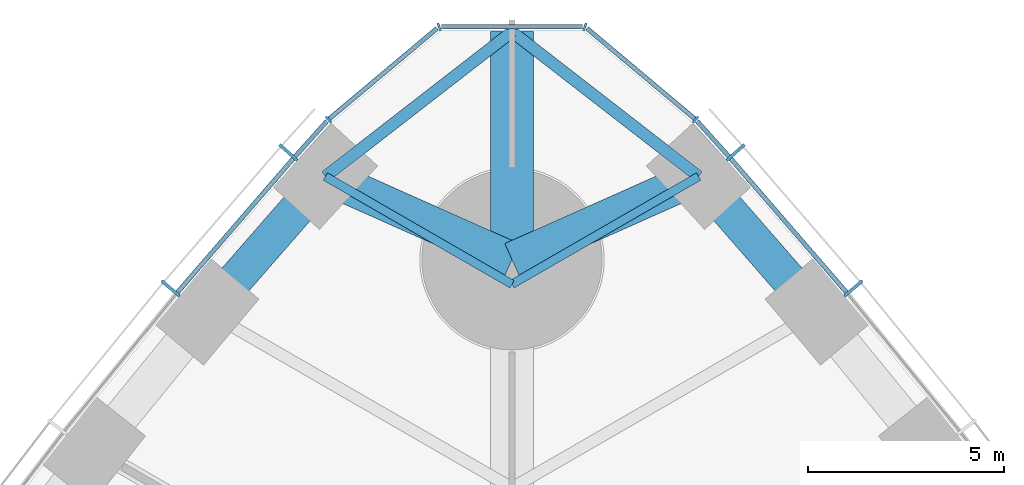
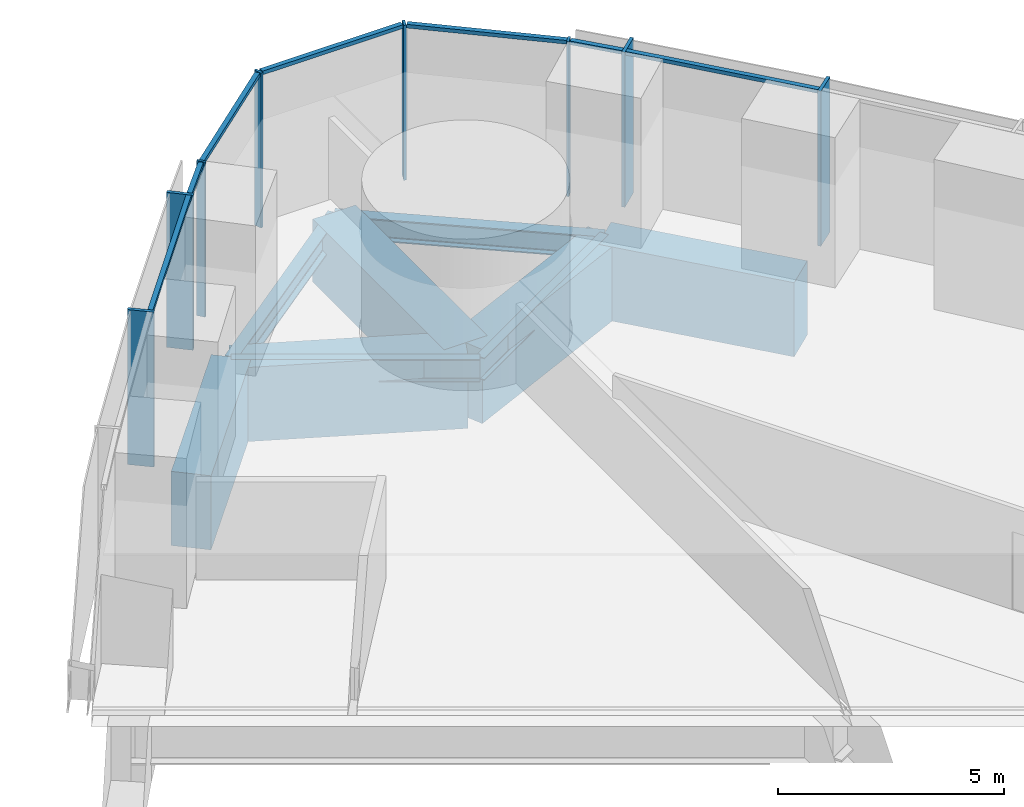
# One storey, part 7 of 18: 15 members, 9 beams, 3 elements without a shape of their own.
"""IFC4 building model written with IfcOpenShell, lengths in metres."""

from ifc_helpers import new_model, si_unit, direction, frame, origin, origin_2d, place, context, subcontext, project, spatial, rectangle, i_section, extrude, material, material_profile, profile_set, type_object, element, aggregate, save


model = new_model("IFC4")

# Units and contexts
model_context = context("Model", 3, precision=1e-05, world=origin(), true_north=direction((0.0, 1.0)))
body_context = subcontext(model_context, "Body", "Model", "MODEL_VIEW")
ifc_project = project(units=[si_unit("LENGTHUNIT", "METRE"), si_unit("AREAUNIT", "SQUARE_METRE"), si_unit("VOLUMEUNIT", "CUBIC_METRE"), si_unit("PLANEANGLEUNIT", "RADIAN"), si_unit("MASSUNIT", "GRAM", prefix="KILO")], contexts=[model_context])

# Site, building, storey
site_placement = place(None, origin())
site = spatial("IfcSite", under=ifc_project, at=site_placement, CompositionType="ELEMENT")
building_placement = place(site_placement, origin())
building = spatial("IfcBuilding", under=site, at=building_placement, Name="Trefoil Bronze Tower", CompositionType="ELEMENT")
storey_placement = place(building_placement, frame((0.0, 0.0, 66.89990234375)))
storey = spatial("IfcBuildingStorey", under=building, at=storey_placement, Name="L15", CompositionType="ELEMENT", Elevation=66.89990234375)

# Curtain wall, members
ifc_material_1 = material(Name="Tinted solar-control glass", Category="glass")
curtain_wall_type_1 = type_object("IfcCurtainWallType", Name="Bronze office curtain wall", PredefinedType="USERDEFINED", material=ifc_material_1)
curtain_wall_1_placement = place(storey_placement, origin())
curtain_wall_1 = element("IfcCurtainWall", 1, at=curtain_wall_1_placement, inside=storey, type_object=curtain_wall_type_1, Name="CW-A L15 F2", ObjectType="CURTAIN WALL", PredefinedType="USERDEFINED")
ifc_material_2 = material(Name="Bronze-finish aluminium", Category="aluminium")
ifc_material_profile_1 = material_profile(ifc_material_2, rectangle(XDim=0.60009765625, YDim=0.080078125, at=origin_2d()), Name="CW-A mullion")
ifc_profile_set_1 = profile_set([ifc_material_profile_1], Name="Bronze-finish aluminium")
member_type_1 = type_object("IfcMemberType", Name="Bronze office curtain wall mullion", PredefinedType="MULLION", material=ifc_profile_set_1)
member_1_placement = place(storey_placement, frame((8.709716796875, 36.265869140625, 0.0), z_axis=(0.0, 0.0, 1.0), x_axis=(-0.765729101889, -0.643163231629, 0.0)))
member_1 = element("IfcMember", 2, at=member_1_placement, type_object=member_type_1, Name="CW-A L15 F2 mullion 15", PredefinedType="MULLION", context=body_context, shape_type="SweptSolid", body=[
    extrude(rectangle(XDim=0.60009765625, YDim=0.080078125, at=origin_2d()), origin(), (0.0, 0.0, 1.0), 4.18017578125),
])
member_2_placement = place(storey_placement, frame((5.70654296875, 39.736328125, 0.0), z_axis=(0.0, 0.0, 1.0), x_axis=(-0.7499405861, -0.661505190698, 0.0)))
member_2 = element("IfcMember", 3, at=member_2_placement, type_object=member_type_1, Name="CW-A L15 F2 mullion 16", PredefinedType="MULLION", context=body_context, shape_type="SweptSolid", body=[
    extrude(rectangle(XDim=0.60009765625, YDim=0.080078125, at=origin_2d()), origin(), (0.0, 0.0, 1.0), 4.18017578125),
])

curtain_wall_2_placement = place(storey_placement, origin())
curtain_wall_2 = element("IfcCurtainWall", 4, at=curtain_wall_2_placement, inside=storey, type_object=curtain_wall_type_1, Name="CW-A L15 F3", ObjectType="CURTAIN WALL", PredefinedType="USERDEFINED")
member_3_placement = place(storey_placement, frame((-5.70654296875, 39.736328125, 0.0), z_axis=(0.0, 0.0, 1.0), x_axis=(0.7499405861, -0.661505190698, 0.0)))
member_3 = element("IfcMember", 5, at=member_3_placement, type_object=member_type_1, Name="CW-A L15 F3 mullion 2", PredefinedType="MULLION", context=body_context, shape_type="SweptSolid", body=[
    extrude(rectangle(XDim=0.60009765625, YDim=0.080078125, at=origin_2d()), origin(), (0.0, 0.0, 1.0), 4.18017578125),
])
member_4_placement = place(storey_placement, frame((-8.709716796875, 36.265869140625, 0.0), z_axis=(0.0, 0.0, 1.0), x_axis=(0.765729101889, -0.643163231629, 0.0)))
member_4 = element("IfcMember", 6, at=member_4_placement, type_object=member_type_1, Name="CW-A L15 F3 mullion 3", PredefinedType="MULLION", context=body_context, shape_type="SweptSolid", body=[
    extrude(rectangle(XDim=0.60009765625, YDim=0.080078125, at=origin_2d()), origin(), (0.0, 0.0, 1.0), 4.18017578125),
])

# Member
ifc_material_3 = material(Name="Bronze-finish aluminium", Category="aluminium")
ifc_material_profile_2 = material_profile(ifc_material_3, rectangle(XDim=0.1201171875, YDim=0.10009765625, at=origin_2d()), Name="CW-A transom")
ifc_profile_set_2 = profile_set([ifc_material_profile_2], Name="Bronze-finish aluminium")
member_type_2 = type_object("IfcMemberType", Name="Bronze office curtain wall transom", PredefinedType="USERDEFINED", material=ifc_profile_set_2)
member_5_placement = place(storey_placement, frame((8.529541015625, 36.16845703125, 4.130126953125), z_axis=(-0.654383303203, 0.75616300656, 0.0), x_axis=(-0.75616300656, -0.654383303203, 0.0)))
member_5 = element("IfcMember", 7, at=member_5_placement, type_object=member_type_2, Name="CW-A L15 F2 transom 15", ObjectType="TRANSOM", PredefinedType="USERDEFINED", context=body_context, shape_type="SweptSolid", body=[
    extrude(rectangle(XDim=0.1201171875, YDim=0.10009765625, at=origin_2d()), origin(), (0.0, 0.0, 1.0), 4.50244140625),
])

member_6_placement = place(storey_placement, frame((5.529052734375, 39.634521484375, 4.130126953125), z_axis=(-0.66858567461, 0.743635122695, 0.0), x_axis=(-0.743635122695, -0.66858567461, 0.0)))
member_6 = element("IfcMember", 8, at=member_6_placement, type_object=member_type_2, Name="CW-A L15 F2 transom 16", ObjectType="TRANSOM", PredefinedType="USERDEFINED", context=body_context, shape_type="SweptSolid", body=[
    extrude(rectangle(XDim=0.1201171875, YDim=0.10009765625, at=origin_2d()), origin(), (0.0, 0.0, 1.0), 1.210205078125),
])

aggregate(curtain_wall_1, [member_1, member_2, member_5, member_6])

member_7_placement = place(storey_placement, frame((-4.719970703125, 40.534423828125, 4.130126953125), z_axis=(-0.66858567461, -0.743635122695, 0.0), x_axis=(0.743635122695, -0.66858567461, 0.0)))
member_7 = element("IfcMember", 9, at=member_7_placement, type_object=member_type_2, Name="CW-A L15 F3 transom 1", ObjectType="TRANSOM", PredefinedType="USERDEFINED", context=body_context, shape_type="SweptSolid", body=[
    extrude(rectangle(XDim=0.1201171875, YDim=0.10009765625, at=origin_2d()), origin(), (0.0, 0.0, 1.0), 1.210205078125),
])

member_8_placement = place(storey_placement, frame((-5.583251953125, 39.572998046875, 4.130126953125), z_axis=(-0.654383303203, -0.75616300656, 0.0), x_axis=(0.75616300656, -0.654383303203, 0.0)))
member_8 = element("IfcMember", 10, at=member_8_placement, type_object=member_type_2, Name="CW-A L15 F3 transom 2", ObjectType="TRANSOM", PredefinedType="USERDEFINED", context=body_context, shape_type="SweptSolid", body=[
    extrude(rectangle(XDim=0.1201171875, YDim=0.10009765625, at=origin_2d()), origin(), (0.0, 0.0, 1.0), 4.50244140625),
])

aggregate(curtain_wall_2, [member_3, member_4, member_7, member_8])

# Curtain wall, members
ifc_material_4 = material(Name="Tinted solar-control glass", Category="glass")
curtain_wall_type_2 = type_object("IfcCurtainWallType", Name="Bronze rounded corner curtain wall", PredefinedType="USERDEFINED", material=ifc_material_4)
curtain_wall_3_placement = place(storey_placement, origin())
curtain_wall_3 = element("IfcCurtainWall", 11, at=curtain_wall_3_placement, inside=storey, type_object=curtain_wall_type_2, Name="CW-B L15 K2", ObjectType="CURTAIN WALL", PredefinedType="USERDEFINED")
ifc_material_5 = material(Name="Bronze-finish aluminium", Category="aluminium")
ifc_material_profile_3 = material_profile(ifc_material_5, rectangle(XDim=0.199951171875, YDim=0.06005859375, at=origin_2d()), Name="CW-B mullion")
ifc_profile_set_3 = profile_set([ifc_material_profile_3], Name="Bronze-finish aluminium")
member_type_3 = type_object("IfcMemberType", Name="Bronze rounded corner curtain wall mullion", PredefinedType="MULLION", material=ifc_profile_set_3)
member_9_placement = place(storey_placement, frame((4.68310546875, 40.573974609375, 0.0), z_axis=(0.0, 0.0, 1.0), x_axis=(-0.642787609687, -0.766044443119, 0.0)))
member_9 = element("IfcMember", 12, at=member_9_placement, type_object=member_type_3, Name="CW-B L15 K2 mullion 1", PredefinedType="MULLION", context=body_context, shape_type="SweptSolid", body=[
    extrude(rectangle(XDim=0.199951171875, YDim=0.06005859375, at=origin_2d()), origin(), (0.0, 0.0, 1.0), 4.18017578125),
])
member_10_placement = place(storey_placement, frame((1.8583984375, 42.9365234375, 0.0), z_axis=(0.0, 0.0, 1.0), x_axis=(-0.342020143326, -0.939692620786, 0.0)))
member_10 = element("IfcMember", 13, at=member_10_placement, type_object=member_type_3, Name="CW-B L15 K2 mullion 2", PredefinedType="MULLION", context=body_context, shape_type="SweptSolid", body=[
    extrude(rectangle(XDim=0.199951171875, YDim=0.06005859375, at=origin_2d()), origin(), (0.0, 0.0, 1.0), 4.18017578125),
])
member_11_placement = place(storey_placement, frame((-1.8583984375, 42.9365234375, 0.0), z_axis=(0.0, 0.0, 1.0), x_axis=(0.342020143326, -0.939692620786, 0.0)))
member_11 = element("IfcMember", 14, at=member_11_placement, type_object=member_type_3, Name="CW-B L15 K2 mullion 3", PredefinedType="MULLION", context=body_context, shape_type="SweptSolid", body=[
    extrude(rectangle(XDim=0.199951171875, YDim=0.06005859375, at=origin_2d()), origin(), (0.0, 0.0, 1.0), 4.18017578125),
])
member_12_placement = place(storey_placement, frame((-4.68310546875, 40.573974609375, 0.0), z_axis=(0.0, 0.0, 1.0), x_axis=(0.642787609687, -0.766044443119, 0.0)))
member_12 = element("IfcMember", 15, at=member_12_placement, type_object=member_type_3, Name="CW-B L15 K2 mullion 4", PredefinedType="MULLION", context=body_context, shape_type="SweptSolid", body=[
    extrude(rectangle(XDim=0.199951171875, YDim=0.06005859375, at=origin_2d()), origin(), (0.0, 0.0, 1.0), 4.18017578125),
])
ifc_material_6 = material(Name="Bronze-finish aluminium", Category="aluminium")
ifc_material_profile_4 = material_profile(ifc_material_6, rectangle(XDim=0.1201171875, YDim=0.10009765625, at=origin_2d()), Name="CW-B transom")
ifc_profile_set_4 = profile_set([ifc_material_profile_4], Name="Bronze-finish aluminium")
member_type_4 = type_object("IfcMemberType", Name="Bronze rounded corner curtain wall transom", PredefinedType="USERDEFINED", material=ifc_profile_set_4)
member_13_placement = place(storey_placement, frame((4.66015625, 40.59326171875, 4.130126953125), z_axis=(-0.766058606238, 0.642770730361, 0.0), x_axis=(-0.642770730361, -0.766058606238, 0.0)))
member_13 = element("IfcMember", 16, at=member_13_placement, type_object=member_type_4, Name="CW-B L15 K2 transom 1", ObjectType="TRANSOM", PredefinedType="USERDEFINED", context=body_context, shape_type="SweptSolid", body=[
    extrude(rectangle(XDim=0.1201171875, YDim=0.10009765625, at=origin_2d()), origin(), (0.0, 0.0, 1.0), 3.588134765625),
])
member_14_placement = place(storey_placement, frame((1.794189453125, 42.9423828125, 4.130126953125), z_axis=(-1.0, 0.0, 0.0), x_axis=(0.0, -1.0, 0.0)))
member_14 = element("IfcMember", 17, at=member_14_placement, type_object=member_type_4, Name="CW-B L15 K2 transom 2", ObjectType="TRANSOM", PredefinedType="USERDEFINED", context=body_context, shape_type="SweptSolid", body=[
    extrude(rectangle(XDim=0.1201171875, YDim=0.10009765625, at=origin_2d()), origin(), (0.0, 0.0, 1.0), 3.58837890625),
])
member_15_placement = place(storey_placement, frame((-1.911376953125, 42.899658203125, 4.130126953125), z_axis=(-0.766058606238, -0.642770730361, 0.0), x_axis=(0.642770730361, -0.766058606238, 0.0)))
member_15 = element("IfcMember", 18, at=member_15_placement, type_object=member_type_4, Name="CW-B L15 K2 transom 3", ObjectType="TRANSOM", PredefinedType="USERDEFINED", context=body_context, shape_type="SweptSolid", body=[
    extrude(rectangle(XDim=0.1201171875, YDim=0.10009765625, at=origin_2d()), origin(), (0.0, 0.0, 1.0), 3.588134765625),
])
aggregate(curtain_wall_3, [member_9, member_10, member_11, member_12, member_13, member_14, member_15])

# Beams
ifc_material_7 = material(Name="Concrete B80", Category="concrete")
ifc_material_profile_5 = material_profile(ifc_material_7, rectangle(XDim=1.10009765625, YDim=1.699951171875, at=origin_2d()), Name="RC 1100x1700")
ifc_profile_set_5 = profile_set([ifc_material_profile_5], Name="Concrete B80")
beam_type_1 = type_object("IfcBeamType", Name="Corner cantilever RC 1100x1700", PredefinedType="BEAM", material=ifc_profile_set_5)
beam_placement = place(storey_placement, frame((0.0, 37.0, -1.0498046875), z_axis=(0.0, 1.0, 0.0), x_axis=(-1.0, 0.0, 0.0)))
element("IfcBeam", 19, at=beam_placement, inside=storey, type_object=beam_type_1, Name="Corner cantilever K2 L15", PredefinedType="BEAM", context=body_context, shape_type="SweptSolid", body=[
    extrude(rectangle(XDim=1.10009765625, YDim=1.699951171875, at=origin_2d()), origin(), (0.0, 0.0, 1.0), 5.814208984375),
])
ifc_material_8 = material(Name="Steel C355", Category="steel")
ifc_material_profile_6 = material_profile(ifc_material_8, i_section(OverallWidth=0.300048828125, OverallDepth=0.60009765625, WebThickness=0.015380859375, FlangeThickness=0.030029296875, FilletRadius=0.027099609375, at=origin_2d()), Name="HEB 600")
ifc_profile_set_6 = profile_set([ifc_material_profile_6], Name="Steel C355")
beam_type_2 = type_object("IfcBeamType", Name="Corner edge beam HEB 600", PredefinedType="BEAM", material=ifc_profile_set_6)
for number, where, z_axis, x_axis, name in (
    (20, (4.76171875, 39.122314453125, -0.5), (-0.790289474622, 0.612733666696, 0.0), (-0.612733666696, -0.790289474622, 0.0), "Corner edge beam F2A L15"),
    (21, (-4.76171875, 39.122314453125, -0.5), (0.790289474622, 0.612733666696, 0.0), (-0.612733666696, 0.790289474622, 0.0), "Corner edge beam F3B L15"),
):
    element("IfcBeam", number, at=place(storey_placement, frame(where, z_axis=z_axis, x_axis=x_axis)), inside=storey, type_object=beam_type_2, Name=name, PredefinedType="BEAM", context=body_context, shape_type="SweptSolid", body=[
        extrude(i_section(OverallWidth=0.300048828125, OverallDepth=0.60009765625, WebThickness=0.015380859375, FlangeThickness=0.030029296875, FilletRadius=0.027099609375, at=origin_2d()), origin(), (0.0, 0.0, 1.0), 6.025390625),
    ])
ifc_material_9 = material(Name="Concrete B80", Category="concrete")
ifc_material_profile_7 = material_profile(ifc_material_9, rectangle(XDim=0.89990234375, YDim=2.0, at=origin_2d()), Name="RC 900x2000")
ifc_profile_set_7 = profile_set([ifc_material_profile_7], Name="Concrete B80")
beam_type_3 = type_object("IfcBeamType", Name="End spandrel beam RC 900x2000", PredefinedType="SPANDREL", material=ifc_profile_set_7)
for number, where, z_axis, x_axis, name in (
    (22, (4.76171875, 39.122314453125, -1.199951171875), (-0.913384257879, -0.407098510754, 0.0), (0.407098510754, -0.913384257879, 0.0), "Spandrel F2.16 L15"),
    (23, (0.0, 37.0, -1.199951171875), (-0.913384257879, 0.407098510754, 0.0), (-0.407098510754, -0.913384257879, 0.0), "Spandrel F3.1 L15"),
):
    element("IfcBeam", number, at=place(storey_placement, frame(where, z_axis=z_axis, x_axis=x_axis)), inside=storey, type_object=beam_type_3, Name=name, PredefinedType="SPANDREL", context=body_context, shape_type="SweptSolid", body=[
        extrude(rectangle(XDim=0.89990234375, YDim=2.0, at=origin_2d()), origin(), (0.0, 0.0, 1.0), 5.21337890625),
    ])
ifc_material_10 = material(Name="Steel C355", Category="steel")
ifc_material_profile_8 = material_profile(ifc_material_10, i_section(OverallWidth=0.219970703125, OverallDepth=0.60009765625, WebThickness=0.011962890625, FlangeThickness=0.01904296875, FilletRadius=0.02392578125, at=origin_2d()), Name="IPE 600")
ifc_profile_set_8 = profile_set([ifc_material_profile_8], Name="Steel C355")
beam_type_4 = type_object("IfcBeamType", Name="Floor beam IPE 600", PredefinedType="BEAM", material=ifc_profile_set_8)
for number, where, z_axis, x_axis, name in (
    (24, (4.76171875, 39.122314453125, -0.5), (-0.866018475376, -0.500012000164, 0.0), (0.500012000164, -0.866018475376, 0.0), "Floor beam F2/+7 L15"),
    (25, (-4.76171875, 39.122314453125, -0.5), (0.866018475376, -0.500012000164, 0.0), (0.500012000164, 0.866018475376, 0.0), "Floor beam F3/-7 L15"),
):
    element("IfcBeam", number, at=place(storey_placement, frame(where, z_axis=z_axis, x_axis=x_axis)), inside=storey, type_object=beam_type_4, Name=name, PredefinedType="BEAM", context=body_context, shape_type="SweptSolid", body=[
        extrude(i_section(OverallWidth=0.219970703125, OverallDepth=0.60009765625, WebThickness=0.011962890625, FlangeThickness=0.01904296875, FilletRadius=0.02392578125, at=origin_2d()), origin(), (0.0, 0.0, 1.0), 5.498291015625),
    ])
ifc_material_11 = material(Name="Concrete B80", Category="concrete")
ifc_material_profile_9 = material_profile(ifc_material_11, rectangle(XDim=0.89990234375, YDim=2.0, at=origin_2d()), Name="RC 900x2000")
ifc_profile_set_9 = profile_set([ifc_material_profile_9], Name="Concrete B80")
beam_type_5 = type_object("IfcBeamType", Name="Spandrel beam RC 900x2000", PredefinedType="SPANDREL", material=ifc_profile_set_9)
for number, where, z_axis, x_axis, name in (
    (26, (7.7763671875, 35.666748046875, -1.199951171875), (-0.657395767989, 0.753545489158, 0.0), (-0.753545489158, -0.657395767989, 0.0), "Spandrel F2.15 L15"),
    (27, (-4.76171875, 39.122314453125, -1.199951171875), (-0.657395767989, -0.753545489158, 0.0), (0.753545489158, -0.657395767989, 0.0), "Spandrel F3.2 L15"),
):
    element("IfcBeam", number, at=place(storey_placement, frame(where, z_axis=z_axis, x_axis=x_axis)), inside=storey, type_object=beam_type_5, Name=name, PredefinedType="SPANDREL", context=body_context, shape_type="SweptSolid", body=[
        extrude(rectangle(XDim=0.89990234375, YDim=2.0, at=origin_2d()), origin(), (0.0, 0.0, 1.0), 4.585693359375),
    ])

save(model, "model.ifc")
